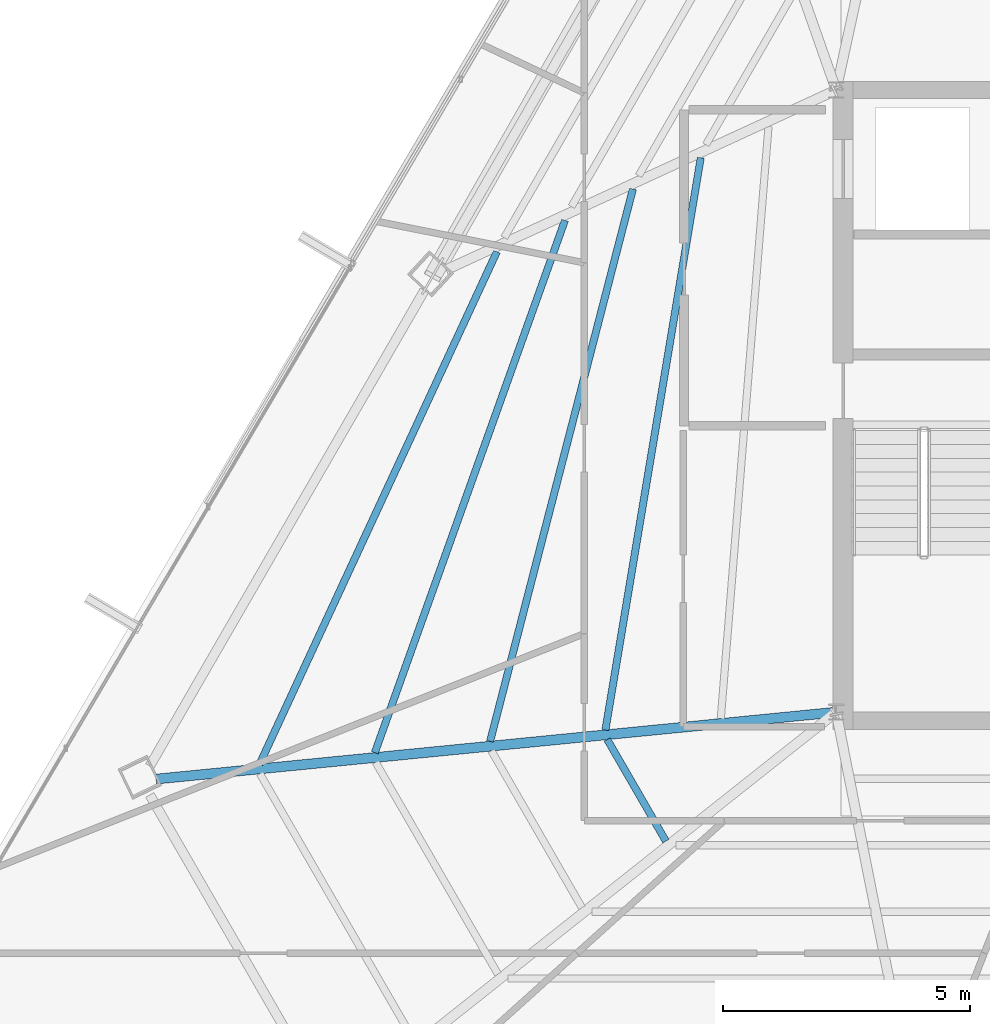
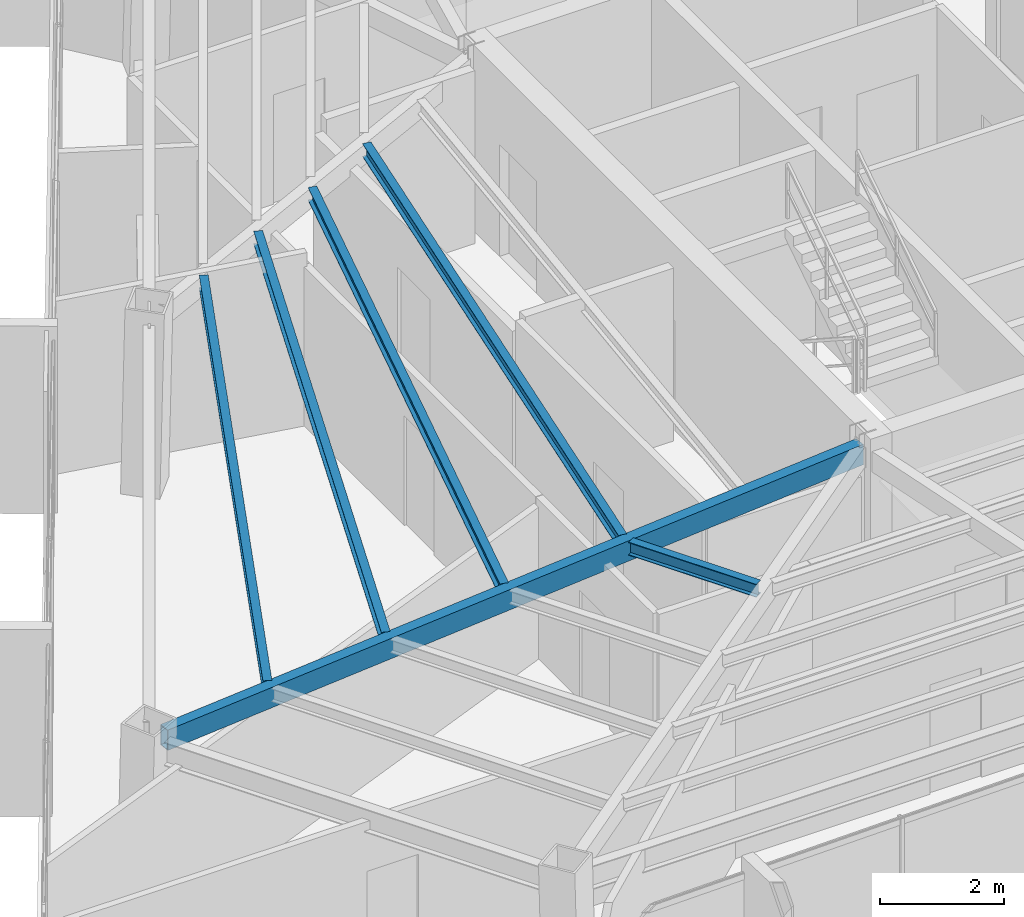
# One storey, part 10 of 46: 6 beams.
"""IFC4 building model written with IfcOpenShell, lengths in metres."""

from ifc_helpers import new_model, si_unit, direction, frame, origin, origin_2d, place, context, subcontext, project, spatial, hollow_rectangle, i_section, extrude, source, transform, mapped, material, material_profile, profile_set, type_object, type_shapes, element, save


model = new_model("IFC4")

# Units and contexts
model_context = context("Model", 3, precision=1e-05, world=origin(), true_north=direction((0.0, 1.0)))
body_context = subcontext(model_context, "Body", "Model", "MODEL_VIEW")
ifc_project = project(units=[si_unit("LENGTHUNIT", "METRE"), si_unit("AREAUNIT", "SQUARE_METRE"), si_unit("VOLUMEUNIT", "CUBIC_METRE"), si_unit("PLANEANGLEUNIT", "RADIAN"), si_unit("MASSUNIT", "GRAM", prefix="KILO")], contexts=[model_context])

# Site, building, storey
site_placement = place(None, origin())
site = spatial("IfcSite", under=ifc_project, at=site_placement, CompositionType="ELEMENT")
building_placement = place(site_placement, origin())
building = spatial("IfcBuilding", under=site, at=building_placement, Name="Caelisora Broadcast Tower", CompositionType="ELEMENT")
storey_placement = place(building_placement, frame((0.0, 0.0, 251.75)))
storey = spatial("IfcBuildingStorey", under=building, at=storey_placement, Name="L66", CompositionType="ELEMENT", Elevation=251.75)

# Beams
ifc_material_1 = material(Name="Steel Grade 350 (AS/NZS 1163 C350L0)", Category="steel")
ifc_material_profile_1 = material_profile(ifc_material_1, hollow_rectangle(XDim=0.199951171875, YDim=0.39990234375, WallThickness=0.012451171875, at=origin_2d()), Name="Steel Grade 350 (AS/NZS 1163 C350L0)")
ifc_profile_set_1 = profile_set([ifc_material_profile_1], Name="Steel Grade 350 (AS/NZS 1163 C350L0)")
beam_type_1 = type_object("IfcBeamType", Name="PG07", PredefinedType="BEAM", material=ifc_profile_set_1)
shared_shape_1 = source(origin(), body_context, "Body", "SweptSolid", [
    extrude(hollow_rectangle(XDim=0.199951171875, YDim=0.39990234375, WallThickness=0.012451171875, at=origin_2d()), origin(), (0.0, 0.0, 1.0), 13.780029296875),
])
type_shapes(beam_type_1, [shared_shape_1])
beam_1_placement = place(storey_placement, frame((30.440185546875, 17.39404296875, 3.199951171875), z_axis=(-0.995190702829, -0.09795644442, 0.0), x_axis=(0.09795644442, -0.995190702829, 0.0)))
element("IfcBeam", 1, at=beam_1_placement, inside=storey, type_object=beam_type_1, Name="L66 beam PG07", PredefinedType="BEAM", context=body_context, shape_type="MappedRepresentation", body=[
    mapped(shared_shape_1, transform((0.0, 0.0, 0.0), scale=1.0)),
])
ifc_material_2 = material(Name="Steel Grade 350 (AS/NZS 3679.1)", Category="steel")
ifc_material_profile_2 = material_profile(ifc_material_2, i_section(OverallWidth=0.14599609375, OverallDepth=0.256103515625, WebThickness=0.00634765625, FlangeThickness=0.010986328125, at=origin_2d()), Name="Steel Grade 350 (AS/NZS 3679.1)")
ifc_profile_set_2 = profile_set([ifc_material_profile_2], Name="Steel Grade 350 (AS/NZS 3679.1)")
beam_type_2 = type_object("IfcBeamType", Name="SB04", PredefinedType="JOIST", material=ifc_profile_set_2)
shared_shape_2 = source(origin(), body_context, "Body", "SweptSolid", [
    extrude(i_section(OverallWidth=0.14599609375, OverallDepth=0.256103515625, WebThickness=0.00634765625, FlangeThickness=0.010986328125, at=origin_2d()), origin(), (0.0, 0.0, 1.0), 11.75048828125),
])
beam_2_placement = place(storey_placement, frame((27.75732421875, 28.62841796875, 3.27197265625), z_axis=(-0.164324863683, -0.986406274907, 0.0), x_axis=(0.986406274907, -0.164324863683, 0.0)))
element("IfcBeam", 2, at=beam_2_placement, inside=storey, type_object=beam_type_2, Name="L66 beam SB04", PredefinedType="JOIST", context=body_context, shape_type="MappedRepresentation", body=[
    mapped(shared_shape_2, transform((0.0, 0.0, 0.0), scale=1.0)),
])
shared_shape_3 = source(origin(), body_context, "Body", "SweptSolid", [
    extrude(i_section(OverallWidth=0.14599609375, OverallDepth=0.256103515625, WebThickness=0.00634765625, FlangeThickness=0.010986328125, at=origin_2d()), origin(), (0.0, 0.0, 1.0), 11.555419921875),
])
beam_3_placement = place(storey_placement, frame((26.38330078125, 27.9951171875, 3.27197265625), z_axis=(-0.250322728686, -0.968162450988, 0.0), x_axis=(0.968162450988, -0.250322728686, 0.0)))
element("IfcBeam", 3, at=beam_3_placement, inside=storey, type_object=beam_type_2, Name="L66 beam SB04", PredefinedType="JOIST", context=body_context, shape_type="MappedRepresentation", body=[
    mapped(shared_shape_3, transform((0.0, 0.0, 0.0), scale=1.0)),
])
shared_shape_4 = source(origin(), body_context, "Body", "SweptSolid", [
    extrude(i_section(OverallWidth=0.14599609375, OverallDepth=0.256103515625, WebThickness=0.00634765625, FlangeThickness=0.010986328125, at=origin_2d()), origin(), (0.0, 0.0, 1.0), 11.44970703125),
])
beam_4_placement = place(storey_placement, frame((25.007080078125, 27.360595703125, 3.27197265625), z_axis=(-0.336344501547, -0.941739017074, 0.0), x_axis=(0.941739017074, -0.336344501547, 0.0)))
element("IfcBeam", 4, at=beam_4_placement, inside=storey, type_object=beam_type_2, Name="L66 beam SB04", PredefinedType="JOIST", context=body_context, shape_type="MappedRepresentation", body=[
    mapped(shared_shape_4, transform((0.0, 0.0, 0.0), scale=1.0)),
])
shared_shape_5 = source(origin(), body_context, "Body", "SweptSolid", [
    extrude(i_section(OverallWidth=0.14599609375, OverallDepth=0.256103515625, WebThickness=0.00634765625, FlangeThickness=0.010986328125, at=origin_2d()), origin(), (0.0, 0.0, 1.0), 11.43505859375),
])
beam_5_placement = place(storey_placement, frame((23.6279296875, 26.724609375, 3.27197265625), z_axis=(-0.420257380654, -0.907404944887, 0.0), x_axis=(0.907404944887, -0.420257380654, 0.0)))
element("IfcBeam", 5, at=beam_5_placement, inside=storey, type_object=beam_type_2, Name="L66 beam SB04", PredefinedType="JOIST", context=body_context, shape_type="MappedRepresentation", body=[
    mapped(shared_shape_5, transform((0.0, 0.0, 0.0), scale=1.0)),
])
shared_shape_6 = source(origin(), body_context, "Body", "SweptSolid", [
    extrude(i_section(OverallWidth=0.14599609375, OverallDepth=0.256103515625, WebThickness=0.00634765625, FlangeThickness=0.010986328125, at=origin_2d()), origin(), (0.0, 0.0, 1.0), 2.374755859375),
])
type_shapes(beam_type_2, [shared_shape_2, shared_shape_3, shared_shape_4, shared_shape_5, shared_shape_6])
beam_6_placement = place(storey_placement, frame((25.86328125, 16.845703125, 3.27197265625), z_axis=(0.500030943131, -0.866007538022, 0.0), x_axis=(0.866007538022, 0.500030943131, 0.0)))
element("IfcBeam", 6, at=beam_6_placement, inside=storey, type_object=beam_type_2, Name="L66 beam SB04", PredefinedType="JOIST", context=body_context, shape_type="MappedRepresentation", body=[
    mapped(shared_shape_6, transform((0.0, 0.0, 0.0), scale=1.0)),
])

save(model, "model.ifc")
